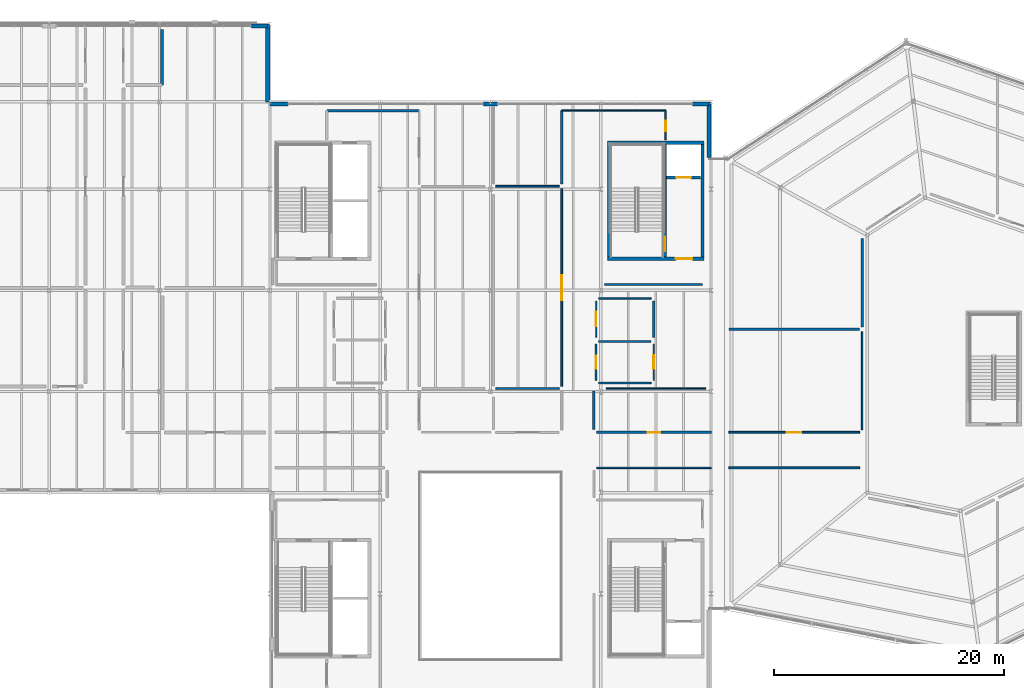
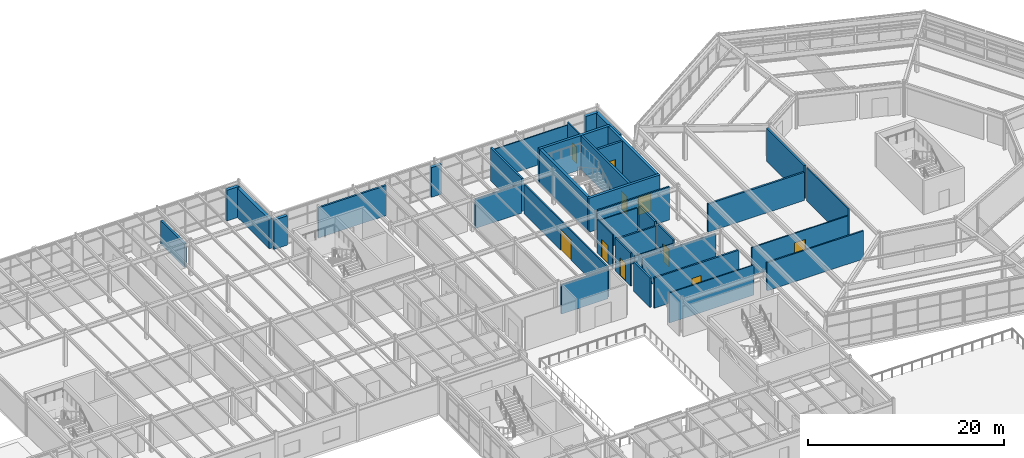
# One storey, part 55 of 69: 37 walls, 10 doors, 10 openings.
"""IFC4 building model written with IfcOpenShell, lengths in metres."""

from ifc_helpers import new_model, si_unit, direction, frame, frame_2d, origin, place, context, subcontext, project, spatial, rectangle, extrude, material, layer, layer_set, type_object, element, fill, save


model = new_model("IFC4")

# Units and contexts
model_context = context("Model", 3, precision=1e-05, world=origin(), true_north=direction((0.0, 1.0)))
body_context = subcontext(model_context, "Body", "Model", "MODEL_VIEW")
ifc_project = project(units=[si_unit("LENGTHUNIT", "METRE"), si_unit("AREAUNIT", "SQUARE_METRE"), si_unit("VOLUMEUNIT", "CUBIC_METRE"), si_unit("PLANEANGLEUNIT", "RADIAN"), si_unit("MASSUNIT", "GRAM", prefix="KILO")], contexts=[model_context])

# Site, building, storey
site_placement = place(None, origin())
site = spatial("IfcSite", under=ifc_project, at=site_placement, CompositionType="ELEMENT")
building_placement = place(site_placement, origin())
building = spatial("IfcBuilding", under=site, at=building_placement, Name="Sarnbrook Museum", CompositionType="ELEMENT")
storey_placement = place(building_placement, frame((0.0, 0.0, 14.60009765625)))
storey = spatial("IfcBuildingStorey", under=building, at=storey_placement, Name="L03", CompositionType="ELEMENT", Elevation=14.60009765625)

# Wall, opening, door
ifc_material_1 = material(Name="Concrete N50 (AS 3600, f'c = 50 MPa)", Category="concrete")
ifc_layer_1 = layer(ifc_material_1, 0.300048828125)
ifc_layer_set_1 = layer_set([ifc_layer_1], Name="Concrete N50 (AS 3600, f'c = 50 MPa)")
wall_type_1 = type_object("IfcWallType", Name="CoreWall_CWRC", PredefinedType="SHEAR", material=ifc_layer_set_1)
wall_1_placement = place(storey_placement, frame((110.199951171875, 94.75, 0.0), z_axis=(0.0, 0.0, 1.0), x_axis=(1.0, 0.0, 0.0)))
wall_1 = element("IfcWall", 1, at=wall_1_placement, inside=storey, type_object=wall_type_1, Name="Core C2 Shear Wall S L03", PredefinedType="SHEAR", context=body_context, shape_type="SweptSolid", body=[
    extrude(rectangle(XDim=8.400146484375, YDim=0.300048828125, at=frame_2d((4.2001953125, 0.0))), origin(), (0.0, 0.0, 1.0), 4.244873046875),
])
opening_1_placement = place(wall_1_placement, frame((5.925048828125, 0.0, 0.0)))
opening_1 = element("IfcOpeningElement", 2, at=opening_1_placement, cuts=wall_1, Name="Opening D-LOB-C2-L03", PredefinedType="OPENING", context=body_context, shape_type="SweptSolid", body=[
    extrude(rectangle(XDim=1.449951171875, YDim=2.25, at=frame_2d((0.72509765625, 1.125))), frame((0.0, 0.16015625, 0.0), z_axis=(0.0, -1.0, 0.0), x_axis=(1.0, 0.0, 0.0)), (0.0, 0.0, 1.0), 0.320068359375),
])
ifc_material_2 = material(Name="Tasmanian Oak Acoustic Timber", Category="wood")
door_type_1 = type_object("IfcDoorType", Name="FireDoor_FD120W", OperationType="NOTDEFINED", PredefinedType="DOOR", material=ifc_material_2)
door_1_placement = place(opening_1_placement, origin())
door_1 = element("IfcDoor", 3, at=door_1_placement, inside=storey, type_object=door_type_1, Name="Core C2 Fire Lobby Entry Door L03", OperationType="SINGLE_SWING_LEFT", OverallHeight=2.25, OverallWidth=1.449951171875, PredefinedType="DOOR", context=body_context, shape_type="SweptSolid", body=[
    extrude(rectangle(XDim=1.449951171875, YDim=2.25, at=frame_2d((0.72509765625, 1.125))), frame((0.0, 0.02490234375, 0.0), z_axis=(0.0, -1.0, 0.0), x_axis=(1.0, 0.0, 0.0)), (0.0, 0.0, 1.0), 0.050048828125),
])
fill(opening_1, door_1)

# Walls
wall_2_placement = place(storey_placement, frame((118.60009765625, 104.85009765625, 0.0), z_axis=(0.0, 0.0, 1.0), x_axis=(-1.0, 0.0, 0.0)))
element("IfcWall", 4, at=wall_2_placement, inside=storey, type_object=wall_type_1, Name="Core C2 Shear Wall N L03", PredefinedType="SHEAR", context=body_context, shape_type="SweptSolid", body=[
    extrude(rectangle(XDim=8.400146484375, YDim=0.300048828125, at=frame_2d((4.2001953125, 0.0))), origin(), (0.0, 0.0, 1.0), 4.244873046875),
])
for number, where, z_axis, x_axis, name in (
    (5, (118.449951171875, 94.909912109375, 0.0), (0.0, 0.0, 1.0), (0.0, 1.0, 0.0), "Core C2 Shear Wall E L03"),
    (6, (110.35009765625, 104.68994140625, 0.0), (0.0, 0.0, 1.0), (0.0, -1.0, 0.0), "Core C2 Shear Wall W L03"),
):
    element("IfcWall", number, at=place(storey_placement, frame(where, z_axis=z_axis, x_axis=x_axis)), inside=storey, type_object=wall_type_1, Name=name, PredefinedType="SHEAR", context=body_context, shape_type="SweptSolid", body=[
        extrude(rectangle(XDim=9.780029296875, YDim=0.300048828125, at=frame_2d((4.89013671875, 0.0))), origin(), (0.0, 0.0, 1.0), 4.244873046875),
    ])
ifc_material_3 = material(Name="Concrete N40 (AS 3600, f'c = 40 MPa)", Category="concrete")
ifc_layer_2 = layer(ifc_material_3, 0.260009765625)
ifc_layer_set_2 = layer_set([ifc_layer_2], Name="Concrete N40 (AS 3600, f'c = 40 MPa)")
wall_type_2 = type_object("IfcWallType", Name="FireWall_FW240", PredefinedType="SOLIDWALL", material=ifc_layer_set_2)
wall_3_placement = place(storey_placement, frame((71.419921875, 109.8701171875, 0.0), z_axis=(0.0, 0.0, 1.0), x_axis=(0.0, 1.0, 0.0)))
element("IfcWall", 7, at=wall_3_placement, inside=storey, type_object=wall_type_2, Name="Interior Partition Wall L03-0729", PredefinedType="SOLIDWALL", context=body_context, shape_type="SweptSolid", body=[
    extrude(rectangle(XDim=4.849853515625, YDim=0.260009765625, at=frame_2d((2.4248046875, 0.0))), origin(), (0.0, 0.0, 1.0), 2.89990234375),
])
ifc_material_4 = material(Name="Fire-Rated Acoustic Gypsum Plasterboard")
ifc_layer_3 = layer(ifc_material_4, 0.1201171875)
ifc_layer_set_3 = layer_set([ifc_layer_3], Name="Fire-Rated Acoustic Gypsum Plasterboard")
wall_type_3 = type_object("IfcWallType", Name="PartWall_P120", PredefinedType="PARTITIONING", material=ifc_layer_set_3)
wall_4_placement = place(storey_placement, frame((109.419921875, 91.31005859375, 0.0), z_axis=(0.0, 0.0, 1.0), x_axis=(1.0, 0.0, 0.0)))
element("IfcWall", 8, at=wall_4_placement, inside=storey, type_object=wall_type_3, Name="Interior Partition Wall L03-0594", PredefinedType="PARTITIONING", context=body_context, shape_type="SweptSolid", body=[
    extrude(rectangle(XDim=4.56005859375, YDim=0.1201171875, at=frame_2d((2.280029296875, 0.0))), origin(), (0.0, 0.0, 1.0), 3.762939453125),
])
wall_5_placement = place(storey_placement, frame((115.239990234375, 107.64990234375, 0.0), z_axis=(0.0, 0.0, 1.0), x_axis=(-1.0, 0.0, 0.0)))
element("IfcWall", 9, at=wall_5_placement, inside=storey, type_object=wall_type_3, Name="Interior Partition Wall L03-0657", PredefinedType="PARTITIONING", context=body_context, shape_type="SweptSolid", body=[
    extrude(rectangle(XDim=9.030029296875, YDim=0.1201171875, at=frame_2d((4.51513671875, 0.0))), origin(), (0.0, 0.0, 1.0), 3.762939453125),
])
wall_6_placement = place(storey_placement, frame((109.22998046875, 76.550048828125, 0.0), z_axis=(0.0, 0.0, 1.0), x_axis=(1.0, 0.0, 0.0)))
element("IfcWall", 10, at=wall_6_placement, inside=storey, type_object=wall_type_3, Name="Interior Partition Wall L03-0664", PredefinedType="PARTITIONING", context=body_context, shape_type="SweptSolid", body=[
    extrude(rectangle(XDim=10.0, YDim=0.1201171875, at=frame_2d((5.0, 0.0))), origin(), (0.0, 0.0, 1.0), 3.762939453125),
])
wall_7_placement = place(storey_placement, frame((110.080078125, 83.4599609375, 0.0), z_axis=(0.0, 0.0, 1.0), x_axis=(1.0, 0.0, 0.0)))
element("IfcWall", 11, at=wall_7_placement, inside=storey, type_object=wall_type_3, Name="Interior Partition Wall L03-0720", PredefinedType="PARTITIONING", context=body_context, shape_type="SweptSolid", body=[
    extrude(rectangle(XDim=8.639892578125, YDim=0.1201171875, at=frame_2d((4.31982421875, 0.0))), origin(), (0.0, 0.0, 1.0), 3.68701171875),
])

# Wall, opening, door
ifc_layer_4 = layer(ifc_material_4, 0.135009765625)
ifc_layer_set_4 = layer_set([ifc_layer_4], Name="Fire-Rated Acoustic Gypsum Plasterboard")
wall_type_4 = type_object("IfcWallType", Name="PartWall_P135", PredefinedType="PARTITIONING", material=ifc_layer_set_4)
wall_8_placement = place(storey_placement, frame((109.18994140625, 87.919921875, 0.0), z_axis=(0.0, 0.0, 1.0), x_axis=(0.0, 1.0, 0.0)))
wall_8 = element("IfcWall", 12, at=wall_8_placement, inside=storey, type_object=wall_type_4, Name="Interior Partition Wall L03-0593", PredefinedType="PARTITIONING", context=body_context, shape_type="SweptSolid", body=[
    extrude(rectangle(XDim=3.16015625, YDim=0.135009765625, at=frame_2d((1.580078125, 0.0))), origin(), (0.0, 0.0, 1.0), 4.1298828125),
])
opening_2_placement = place(wall_8_placement, frame((0.93994140625, 0.0, 0.0)))
opening_2 = element("IfcOpeningElement", 13, at=opening_2_placement, cuts=wall_8, Name="Opening D-L03-170", PredefinedType="OPENING", context=body_context, shape_type="SweptSolid", body=[
    extrude(rectangle(XDim=1.280029296875, YDim=2.239990234375, at=frame_2d((0.64013671875, 1.1201171875))), frame((0.0, 0.07763671875, 0.0), z_axis=(0.0, -1.0, 0.0), x_axis=(1.0, 0.0, 0.0)), (0.0, 0.0, 1.0), 0.155029296875),
])
door_type_2 = type_object("IfcDoorType", Name="IntDoor_DT18", OperationType="NOTDEFINED", PredefinedType="DOOR", material=ifc_material_2)
door_2_placement = place(opening_2_placement, origin())
door_2 = element("IfcDoor", 14, at=door_2_placement, inside=storey, type_object=door_type_2, Name="Public Female Toilets L03 Door D-L03-170", OperationType="SINGLE_SWING_RIGHT", OverallHeight=2.239990234375, OverallWidth=1.280029296875, PredefinedType="DOOR", context=body_context, shape_type="SweptSolid", body=[
    extrude(rectangle(XDim=1.280029296875, YDim=2.239990234375, at=frame_2d((0.64013671875, 1.1201171875))), frame((0.0, 0.02490234375, 0.0), z_axis=(0.0, -1.0, 0.0), x_axis=(1.0, 0.0, 0.0)), (0.0, 0.0, 1.0), 0.050048828125),
])
fill(opening_2, door_2)

# Wall
wall_9_placement = place(storey_placement, frame((132.35009765625, 88.398193359375, 0.0), z_axis=(0.0, 0.0, 1.0), x_axis=(0.0, -1.0, 0.0)))
element("IfcWall", 15, at=wall_9_placement, inside=storey, type_object=wall_type_4, Name="Interior Partition Wall L03-0607", PredefinedType="PARTITIONING", context=body_context, shape_type="SweptSolid", body=[
    extrude(rectangle(XDim=8.518310546875, YDim=0.135009765625, at=frame_2d((4.25927734375, 0.0))), origin(), (0.0, 0.0, 1.0), 4.1298828125),
])

# Wall, opening, door
wall_10_placement = place(storey_placement, frame((115.25, 105.1201171875, 0.0), z_axis=(0.0, 0.0, 1.0), x_axis=(0.0, 1.0, 0.0)))
wall_10 = element("IfcWall", 16, at=wall_10_placement, inside=storey, type_object=wall_type_4, Name="Interior Partition Wall L03-0656", PredefinedType="PARTITIONING", context=body_context, shape_type="SweptSolid", body=[
    extrude(rectangle(XDim=2.519775390625, YDim=0.135009765625, at=frame_2d((1.259765625, 0.0))), origin(), (0.0, 0.0, 1.0), 4.1298828125),
])
opening_3_placement = place(wall_10_placement, frame((0.735107421875, 0.0, 0.0)))
opening_3 = element("IfcOpeningElement", 17, at=opening_3_placement, cuts=wall_10, Name="Opening D-L03-190", PredefinedType="OPENING", context=body_context, shape_type="SweptSolid", body=[
    extrude(rectangle(XDim=0.89990234375, YDim=2.080078125, at=frame_2d((0.449951171875, 1.0400390625))), frame((0.0, 0.07763671875, 0.0), z_axis=(0.0, -1.0, 0.0), x_axis=(1.0, 0.0, 0.0)), (0.0, 0.0, 1.0), 0.155029296875),
])
door_type_3 = type_object("IfcDoorType", Name="IntDoor_DT01", OperationType="NOTDEFINED", PredefinedType="DOOR", material=ifc_material_2)
door_3_placement = place(opening_3_placement, origin())
door_3 = element("IfcDoor", 18, at=door_3_placement, inside=storey, type_object=door_type_3, Name="Collection Digitisation Studio L03-18 Door D-L03-190", OperationType="SINGLE_SWING_LEFT", OverallHeight=2.080078125, OverallWidth=0.89990234375, PredefinedType="DOOR", context=body_context, shape_type="SweptSolid", body=[
    extrude(rectangle(XDim=0.89990234375, YDim=2.080078125, at=frame_2d((0.449951171875, 1.0400390625))), frame((0.0, 0.02490234375, 0.0), z_axis=(0.0, -1.0, 0.0), x_axis=(1.0, 0.0, 0.0)), (0.0, 0.0, 1.0), 0.050048828125),
])
fill(opening_3, door_3)

# Walls
wall_11_placement = place(storey_placement, frame((100.47998046875, 101.06005859375, 0.0), z_axis=(0.0, 0.0, 1.0), x_axis=(1.0, 0.0, 0.0)))
element("IfcWall", 19, at=wall_11_placement, inside=storey, type_object=wall_type_4, Name="Interior Partition Wall L03-0719", PredefinedType="PARTITIONING", context=body_context, shape_type="SweptSolid", body=[
    extrude(rectangle(XDim=5.489990234375, YDim=0.135009765625, at=frame_2d((2.7451171875, 0.0))), origin(), (0.0, 0.0, 1.0), 3.68701171875),
])
ifc_layer_5 = layer(ifc_material_4, 0.14990234375)
ifc_layer_set_5 = layer_set([ifc_layer_5], Name="Fire-Rated Acoustic Gypsum Plasterboard")
wall_type_5 = type_object("IfcWallType", Name="PartWall_P150", PredefinedType="PARTITIONING", material=ifc_layer_set_5)
wall_12_placement = place(storey_placement, frame((113.97998046875, 83.93994140625, 0.0), z_axis=(0.0, 0.0, 1.0), x_axis=(-1.0, 0.0, 0.0)))
element("IfcWall", 20, at=wall_12_placement, inside=storey, type_object=wall_type_5, Name="Interior Partition Wall L03-0592", PredefinedType="PARTITIONING", context=body_context, shape_type="SweptSolid", body=[
    extrude(rectangle(XDim=4.56005859375, YDim=0.14990234375, at=frame_2d((2.280029296875, 0.0))), origin(), (0.0, 0.0, 1.0), 3.762939453125),
])

# Wall, opening, door
wall_13_placement = place(storey_placement, frame((132.1201171875, 79.64990234375, 0.0), z_axis=(0.0, 0.0, 1.0), x_axis=(-1.0, 0.0, 0.0)))
wall_13 = element("IfcWall", 21, at=wall_13_placement, inside=storey, type_object=wall_type_5, Name="Interior Partition Wall L03-0606", PredefinedType="PARTITIONING", context=body_context, shape_type="SweptSolid", body=[
    extrude(rectangle(XDim=11.375244140625, YDim=0.14990234375, at=frame_2d((5.6875, 0.0))), origin(), (0.0, 0.0, 1.0), 3.510009765625),
])
opening_4_placement = place(wall_13_placement, frame((5.0576171875, 0.0, 0.0)))
opening_4 = element("IfcOpeningElement", 22, at=opening_4_placement, cuts=wall_13, Name="Opening D-L03-175", PredefinedType="OPENING", context=body_context, shape_type="SweptSolid", body=[
    extrude(rectangle(XDim=1.260009765625, YDim=2.340087890625, at=frame_2d((0.6298828125, 1.169921875))), frame((0.0, 0.0849609375, 0.0), z_axis=(0.0, -1.0, 0.0), x_axis=(1.0, 0.0, 0.0)), (0.0, 0.0, 1.0), 0.169921875),
])
door_type_4 = type_object("IfcDoorType", Name="IntDoor_DT23", OperationType="NOTDEFINED", PredefinedType="DOOR", material=ifc_material_2)
door_4_placement = place(opening_4_placement, origin())
door_4 = element("IfcDoor", 23, at=door_4_placement, inside=storey, type_object=door_type_4, Name="Meteorites & Planetary Science Hall L03-2 Door D-L03-175", OperationType="SINGLE_SWING_LEFT", OverallHeight=2.340087890625, OverallWidth=1.260009765625, PredefinedType="DOOR", context=body_context, shape_type="SweptSolid", body=[
    extrude(rectangle(XDim=1.260009765625, YDim=2.340087890625, at=frame_2d((0.6298828125, 1.169921875))), frame((0.0, 0.02490234375, 0.0), z_axis=(0.0, -1.0, 0.0), x_axis=(1.0, 0.0, 0.0)), (0.0, 0.0, 1.0), 0.050048828125),
])
fill(opening_4, door_4)

wall_14_placement = place(storey_placement, frame((106.199951171875, 100.830078125, 0.0), z_axis=(0.0, 0.0, 1.0), x_axis=(0.0, -1.0, 0.0)))
wall_14 = element("IfcWall", 24, at=wall_14_placement, inside=storey, type_object=wall_type_5, Name="Interior Partition Wall L03-0655", PredefinedType="PARTITIONING", context=body_context, shape_type="SweptSolid", body=[
    extrude(rectangle(XDim=17.18017578125, YDim=0.14990234375, at=frame_2d((8.590087890625, 0.0))), origin(), (0.0, 0.0, 1.0), 3.68701171875),
])
opening_5_placement = place(wall_14_placement, frame((7.5, 0.0, 0.0)))
opening_5 = element("IfcOpeningElement", 25, at=opening_5_placement, cuts=wall_14, Name="Opening D-L03-189", PredefinedType="OPENING", context=body_context, shape_type="SweptSolid", body=[
    extrude(rectangle(XDim=2.179931640625, YDim=2.580078125, at=frame_2d((1.08984375, 1.2900390625))), frame((0.0, 0.0849609375, 0.0), z_axis=(0.0, -1.0, 0.0), x_axis=(1.0, 0.0, 0.0)), (0.0, 0.0, 1.0), 0.169921875),
])
door_type_5 = type_object("IfcDoorType", Name="IntDoor_DT37", OperationType="NOTDEFINED", PredefinedType="DOOR", material=ifc_material_2)
door_5_placement = place(opening_5_placement, frame((2.179931640625, 0.0, 0.0), z_axis=(0.0, 0.0, 1.0), x_axis=(-1.0, 0.0, 0.0)))
door_5 = element("IfcDoor", 26, at=door_5_placement, inside=storey, type_object=door_type_5, Name="Natural History Library & Reading Room L03-17 Door D-L03-189", OperationType="DOUBLE_DOOR_SINGLE_SWING", OverallHeight=2.580078125, OverallWidth=2.179931640625, PredefinedType="DOOR", context=body_context, shape_type="SweptSolid", body=[
    extrude(rectangle(XDim=2.179931640625, YDim=2.580078125, at=frame_2d((1.08984375, 1.2900390625))), frame((0.0, 0.02490234375, 0.0), z_axis=(0.0, -1.0, 0.0), x_axis=(1.0, 0.0, 0.0)), (0.0, 0.0, 1.0), 0.050048828125),
])
fill(opening_5, door_5)

# Wall
wall_15_placement = place(storey_placement, frame((100.47998046875, 83.4599609375, 0.0), z_axis=(0.0, 0.0, 1.0), x_axis=(1.0, 0.0, 0.0)))
element("IfcWall", 27, at=wall_15_placement, inside=storey, type_object=wall_type_5, Name="Interior Partition Wall L03-0718", PredefinedType="PARTITIONING", context=body_context, shape_type="SweptSolid", body=[
    extrude(rectangle(XDim=5.489990234375, YDim=0.14990234375, at=frame_2d((2.7451171875, 0.0))), origin(), (0.0, 0.0, 1.0), 3.68701171875),
])

# Wall, opening, door
ifc_layer_6 = layer(ifc_material_4, 0.1650390625)
ifc_layer_set_6 = layer_set([ifc_layer_6], Name="Fire-Rated Acoustic Gypsum Plasterboard")
wall_type_6 = type_object("IfcWallType", Name="PartWall_P165", PredefinedType="PARTITIONING", material=ifc_layer_set_6)
wall_16_placement = place(storey_placement, frame((114.2099609375, 87.330078125, 0.0), z_axis=(0.0, 0.0, 1.0), x_axis=(0.0, -1.0, 0.0)))
wall_16 = element("IfcWall", 28, at=wall_16_placement, inside=storey, type_object=wall_type_6, Name="Interior Partition Wall L03-0591", PredefinedType="PARTITIONING", context=body_context, shape_type="SweptSolid", body=[
    extrude(rectangle(XDim=3.16015625, YDim=0.1650390625, at=frame_2d((1.580078125, 0.0))), origin(), (0.0, 0.0, 1.0), 4.012939453125),
])
opening_6_placement = place(wall_16_placement, frame((0.989990234375, 0.0, 0.0)))
opening_6 = element("IfcOpeningElement", 29, at=opening_6_placement, cuts=wall_16, Name="Opening D-L03-169", PredefinedType="OPENING", context=body_context, shape_type="SweptSolid", body=[
    extrude(rectangle(XDim=1.179931640625, YDim=2.239990234375, at=frame_2d((0.58984375, 1.1201171875))), frame((0.0, 0.092529296875, 0.0), z_axis=(0.0, -1.0, 0.0), x_axis=(1.0, 0.0, 0.0)), (0.0, 0.0, 1.0), 0.18505859375),
])
door_type_6 = type_object("IfcDoorType", Name="IntDoor_DT17", OperationType="NOTDEFINED", PredefinedType="DOOR", material=ifc_material_2)
door_6_placement = place(opening_6_placement, frame((1.179931640625, 0.0, 0.0), z_axis=(0.0, 0.0, 1.0), x_axis=(-1.0, 0.0, 0.0)))
door_6 = element("IfcDoor", 30, at=door_6_placement, inside=storey, type_object=door_type_6, Name="Molecular DNA Conservation Lab L03-22 Door D-L03-169", OperationType="SINGLE_SWING_LEFT", OverallHeight=2.239990234375, OverallWidth=1.179931640625, PredefinedType="DOOR", context=body_context, shape_type="SweptSolid", body=[
    extrude(rectangle(XDim=1.179931640625, YDim=2.239990234375, at=frame_2d((0.58984375, 1.1201171875))), frame((0.0, 0.02490234375, 0.0), z_axis=(0.0, -1.0, 0.0), x_axis=(1.0, 0.0, 0.0)), (0.0, 0.0, 1.0), 0.050048828125),
])
fill(opening_6, door_6)

# Wall
wall_17_placement = place(storey_placement, frame((120.744873046875, 76.550048828125, 0.0), z_axis=(0.0, 0.0, 1.0), x_axis=(1.0, 0.0, 0.0)))
element("IfcWall", 31, at=wall_17_placement, inside=storey, type_object=wall_type_6, Name="Interior Partition Wall L03-0605", PredefinedType="PARTITIONING", context=body_context, shape_type="SweptSolid", body=[
    extrude(rectangle(XDim=11.375244140625, YDim=0.1650390625, at=frame_2d((5.6875, 0.0))), origin(), (0.0, 0.0, 1.0), 3.510009765625),
])

# Wall, opening, door
ifc_layer_7 = layer(ifc_material_4, 0.179931640625)
ifc_layer_set_7 = layer_set([ifc_layer_7], Name="Fire-Rated Acoustic Gypsum Plasterboard")
wall_type_7 = type_object("IfcWallType", Name="PartWall_P180", PredefinedType="PARTITIONING", material=ifc_layer_set_7)
wall_18_placement = place(storey_placement, frame((109.18994140625, 84.169921875, 0.0), z_axis=(0.0, 0.0, 1.0), x_axis=(0.0, 1.0, 0.0)))
wall_18 = element("IfcWall", 32, at=wall_18_placement, inside=storey, type_object=wall_type_7, Name="Interior Partition Wall L03-0590", PredefinedType="PARTITIONING", context=body_context, shape_type="SweptSolid", body=[
    extrude(rectangle(XDim=3.16015625, YDim=0.179931640625, at=frame_2d((1.580078125, 0.0))), origin(), (0.0, 0.0, 1.0), 4.1298828125),
])
opening_7_placement = place(wall_18_placement, frame((1.030029296875, 0.0, 0.0)))
opening_7 = element("IfcOpeningElement", 33, at=opening_7_placement, cuts=wall_18, Name="Opening D-L03-168", PredefinedType="OPENING", context=body_context, shape_type="SweptSolid", body=[
    extrude(rectangle(XDim=1.10009765625, YDim=2.239990234375, at=frame_2d((0.550048828125, 1.1201171875))), frame((0.0, 0.10009765625, 0.0), z_axis=(0.0, -1.0, 0.0), x_axis=(1.0, 0.0, 0.0)), (0.0, 0.0, 1.0), 0.199951171875),
])
door_type_7 = type_object("IfcDoorType", Name="IntDoor_DT16", OperationType="NOTDEFINED", PredefinedType="DOOR", material=ifc_material_2)
door_7_placement = place(opening_7_placement, origin())
door_7 = element("IfcDoor", 34, at=door_7_placement, inside=storey, type_object=door_type_7, Name="Public Male Toilets L03 Door D-L03-168", OperationType="SINGLE_SWING_RIGHT", OverallHeight=2.239990234375, OverallWidth=1.10009765625, PredefinedType="DOOR", context=body_context, shape_type="SweptSolid", body=[
    extrude(rectangle(XDim=1.10009765625, YDim=2.239990234375, at=frame_2d((0.550048828125, 1.1201171875))), frame((0.0, 0.02490234375, 0.0), z_axis=(0.0, -1.0, 0.0), x_axis=(1.0, 0.0, 0.0)), (0.0, 0.0, 1.0), 0.050048828125),
])
fill(opening_7, door_7)

# Walls
wall_19_placement = place(storey_placement, frame((109.94287109375, 92.5, 0.0), z_axis=(0.0, 0.0, 1.0), x_axis=(1.0, 0.0, 0.0)))
element("IfcWall", 35, at=wall_19_placement, inside=storey, type_object=wall_type_7, Name="Interior Partition Wall L03-0667", PredefinedType="PARTITIONING", context=body_context, shape_type="SweptSolid", body=[
    extrude(rectangle(XDim=8.4970703125, YDim=0.179931640625, at=frame_2d((4.24853515625, 0.0))), origin(), (0.0, 0.0, 1.0), 4.1298828125),
])
ifc_layer_8 = layer(ifc_material_4, 0.195068359375)
ifc_layer_set_8 = layer_set([ifc_layer_8], Name="Fire-Rated Acoustic Gypsum Plasterboard")
wall_type_8 = type_object("IfcWallType", Name="PartWall_P195", PredefinedType="PARTITIONING", material=ifc_layer_set_8)
wall_20_placement = place(storey_placement, frame((109.419921875, 87.56005859375, 0.0), z_axis=(0.0, 0.0, 1.0), x_axis=(1.0, 0.0, 0.0)))
element("IfcWall", 36, at=wall_20_placement, inside=storey, type_object=wall_type_8, Name="Interior Partition Wall L03-0589", PredefinedType="PARTITIONING", context=body_context, shape_type="SweptSolid", body=[
    extrude(rectangle(XDim=4.56005859375, YDim=0.195068359375, at=frame_2d((2.280029296875, 0.0))), origin(), (0.0, 0.0, 1.0), 3.762939453125),
])

# Wall, opening, door
wall_21_placement = place(storey_placement, frame((119.22998046875, 79.64990234375, 0.0), z_axis=(0.0, 0.0, 1.0), x_axis=(-1.0, 0.0, 0.0)))
wall_21 = element("IfcWall", 37, at=wall_21_placement, inside=storey, type_object=wall_type_8, Name="Interior Partition Wall L03-0666", PredefinedType="PARTITIONING", context=body_context, shape_type="SweptSolid", body=[
    extrude(rectangle(XDim=10.0, YDim=0.195068359375, at=frame_2d((5.0, 0.0))), origin(), (0.0, 0.0, 1.0), 3.762939453125),
])
opening_8_placement = place(wall_21_placement, frame((4.47509765625, 0.0, 0.0)))
opening_8 = element("IfcOpeningElement", 38, at=opening_8_placement, cuts=wall_21, Name="Opening D-L03-193", PredefinedType="OPENING", context=body_context, shape_type="SweptSolid", body=[
    extrude(rectangle(XDim=1.050048828125, YDim=2.14990234375, at=frame_2d((0.52490234375, 1.074951171875))), frame((0.0, 0.107421875, 0.0), z_axis=(0.0, -1.0, 0.0), x_axis=(1.0, 0.0, 0.0)), (0.0, 0.0, 1.0), 0.215087890625),
])
door_type_8 = type_object("IfcDoorType", Name="FireDoor_FD60", OperationType="NOTDEFINED", PredefinedType="DOOR", material=ifc_material_2)
door_8_placement = place(opening_8_placement, origin())
door_8 = element("IfcDoor", 39, at=door_8_placement, inside=storey, type_object=door_type_8, Name="First Peoples Cultural Heritage Gallery L03-21 Door D-L03-193", OperationType="SINGLE_SWING_RIGHT", OverallHeight=2.14990234375, OverallWidth=1.050048828125, PredefinedType="DOOR", context=body_context, shape_type="SweptSolid", body=[
    extrude(rectangle(XDim=1.050048828125, YDim=2.14990234375, at=frame_2d((0.52490234375, 1.074951171875))), frame((0.0, 0.02490234375, 0.0), z_axis=(0.0, -1.0, 0.0), x_axis=(1.0, 0.0, 0.0)), (0.0, 0.0, 1.0), 0.050048828125),
])
fill(opening_8, door_8)

# Walls
ifc_layer_9 = layer(ifc_material_4, 0.2099609375)
ifc_layer_set_9 = layer_set([ifc_layer_9], Name="Fire-Rated Acoustic Gypsum Plasterboard")
wall_type_9 = type_object("IfcWallType", Name="PartWall_P210", PredefinedType="PARTITIONING", material=ifc_layer_set_9)
wall_22_placement = place(storey_placement, frame((114.2099609375, 91.080078125, 0.0), z_axis=(0.0, 0.0, 1.0), x_axis=(0.0, -1.0, 0.0)))
element("IfcWall", 40, at=wall_22_placement, inside=storey, type_object=wall_type_9, Name="Interior Partition Wall L03-0595", PredefinedType="PARTITIONING", context=body_context, shape_type="SweptSolid", body=[
    extrude(rectangle(XDim=3.16015625, YDim=0.2099609375, at=frame_2d((1.580078125, 0.0))), origin(), (0.0, 0.0, 1.0), 4.012939453125),
])
wall_23_placement = place(storey_placement, frame((132.35009765625, 96.52734375, 0.0), z_axis=(0.0, 0.0, 1.0), x_axis=(0.0, -1.0, 0.0)))
element("IfcWall", 41, at=wall_23_placement, inside=storey, type_object=wall_type_9, Name="Interior Partition Wall L03-0609", PredefinedType="PARTITIONING", context=body_context, shape_type="SweptSolid", body=[
    extrude(rectangle(XDim=7.709228515625, YDim=0.2099609375, at=frame_2d((3.8544921875, 0.0))), origin(), (0.0, 0.0, 1.0), 4.1298828125),
])
wall_24_placement = place(storey_placement, frame((93.7900390625, 107.64990234375, 0.0), z_axis=(0.0, 0.0, 1.0), x_axis=(-1.0, 0.0, 0.0)))
element("IfcWall", 42, at=wall_24_placement, inside=storey, type_object=wall_type_9, Name="Interior Partition Wall L03-0637", PredefinedType="PARTITIONING", context=body_context, shape_type="SweptSolid", body=[
    extrude(rectangle(XDim=8.030029296875, YDim=0.2099609375, at=frame_2d((4.01513671875, 0.0))), origin(), (0.0, 0.0, 1.0), 3.762939453125),
])
wall_25_placement = place(storey_placement, frame((106.199951171875, 107.639892578125, 0.0), z_axis=(0.0, 0.0, 1.0), x_axis=(0.0, -1.0, 0.0)))
element("IfcWall", 43, at=wall_25_placement, inside=storey, type_object=wall_type_9, Name="Interior Partition Wall L03-0658", PredefinedType="PARTITIONING", context=body_context, shape_type="SweptSolid", body=[
    extrude(rectangle(XDim=6.389892578125, YDim=0.2099609375, at=frame_2d((3.19482421875, 0.0))), origin(), (0.0, 0.0, 1.0), 4.1298828125),
])
wall_26_placement = place(storey_placement, frame((109.0, 79.8798828125, 0.0), z_axis=(0.0, 0.0, 1.0), x_axis=(0.0, 1.0, 0.0)))
element("IfcWall", 44, at=wall_26_placement, inside=storey, type_object=wall_type_9, Name="Interior Partition Wall L03-0665", PredefinedType="PARTITIONING", context=body_context, shape_type="SweptSolid", body=[
    extrude(rectangle(XDim=3.35009765625, YDim=0.2099609375, at=frame_2d((1.675048828125, 0.0))), origin(), (0.0, 0.0, 1.0), 3.68701171875),
])
wall_27_placement = place(storey_placement, frame((120.744873046875, 88.628173828125, 0.0), z_axis=(0.0, 0.0, 1.0), x_axis=(1.0, 0.0, 0.0)))
element("IfcWall", 45, at=wall_27_placement, inside=storey, type_object=wall_type_9, Name="Interior Partition Wall L03-0707", PredefinedType="PARTITIONING", context=body_context, shape_type="SweptSolid", body=[
    extrude(rectangle(XDim=11.375244140625, YDim=0.2099609375, at=frame_2d((5.6875, 0.0))), origin(), (0.0, 0.0, 1.0), 3.510009765625),
])

# Wall, opening, door
ifc_layer_10 = layer(ifc_material_3, 0.239990234375)
ifc_layer_set_10 = layer_set([ifc_layer_10], Name="Concrete N40 (AS 3600, f'c = 40 MPa)")
wall_type_10 = type_object("IfcWallType", Name="ShaftWall_SWRC", PredefinedType="SOLIDWALL", material=ifc_layer_set_10)
wall_28_placement = place(storey_placement, frame((115.18994140625, 94.909912109375, 0.0), z_axis=(0.0, 0.0, 1.0), x_axis=(0.0, 1.0, 0.0)))
wall_28 = element("IfcWall", 46, at=wall_28_placement, inside=storey, type_object=wall_type_10, Name="Stairwell ST2 Fire Shaft Wall L03", PredefinedType="SOLIDWALL", context=body_context, shape_type="SweptSolid", body=[
    extrude(rectangle(XDim=9.780029296875, YDim=0.239990234375, at=frame_2d((4.89013671875, 0.0))), origin(), (0.0, 0.0, 1.0), 4.244873046875),
])
opening_9_placement = place(wall_28_placement, frame((0.514892578125, 0.0, 0.0)))
opening_9 = element("IfcOpeningElement", 47, at=opening_9_placement, cuts=wall_28, Name="Opening D-ST-ST2-L03", PredefinedType="OPENING", context=body_context, shape_type="SweptSolid", body=[
    extrude(rectangle(XDim=1.25, YDim=2.199951171875, at=frame_2d((0.625, 1.10009765625))), frame((0.0, 0.1298828125, 0.0), z_axis=(0.0, -1.0, 0.0), x_axis=(1.0, 0.0, 0.0)), (0.0, 0.0, 1.0), 0.260009765625),
])
door_type_9 = type_object("IfcDoorType", Name="FireDoor_FD120", OperationType="NOTDEFINED", PredefinedType="DOOR", material=ifc_material_2)
door_9_placement = place(opening_9_placement, origin())
door_9 = element("IfcDoor", 48, at=door_9_placement, inside=storey, type_object=door_type_9, Name="Exit Stair ST2 Fire Door L03", OperationType="SINGLE_SWING_RIGHT", OverallHeight=2.199951171875, OverallWidth=1.25, PredefinedType="DOOR", context=body_context, shape_type="SweptSolid", body=[
    extrude(rectangle(XDim=1.25, YDim=2.199951171875, at=frame_2d((0.625, 1.10009765625))), frame((0.0, 0.02490234375, 0.0), z_axis=(0.0, -1.0, 0.0), x_axis=(1.0, 0.0, 0.0)), (0.0, 0.0, 1.0), 0.050048828125),
])
fill(opening_9, door_9)

wall_29_placement = place(storey_placement, frame((115.320068359375, 101.820068359375, 0.0), z_axis=(0.0, 0.0, 1.0), x_axis=(1.0, 0.0, 0.0)))
wall_29 = element("IfcWall", 49, at=wall_29_placement, inside=storey, type_object=wall_type_10, Name="Lift EL2 Shaft Front Wall L03", PredefinedType="SOLIDWALL", context=body_context, shape_type="SweptSolid", body=[
    extrude(rectangle(XDim=2.969970703125, YDim=0.239990234375, at=frame_2d((1.48486328125, 0.0))), origin(), (0.0, 0.0, 1.0), 4.244873046875),
])
opening_10_placement = place(wall_29_placement, frame((0.8349609375, 0.0, 0.0)))
opening_10 = element("IfcOpeningElement", 50, at=opening_10_placement, cuts=wall_29, Name="Opening LD-EL2-L03", PredefinedType="OPENING", context=body_context, shape_type="SweptSolid", body=[
    extrude(rectangle(XDim=1.300048828125, YDim=2.25, at=frame_2d((0.64990234375, 1.125))), frame((0.0, 0.1298828125, 0.0), z_axis=(0.0, -1.0, 0.0), x_axis=(1.0, 0.0, 0.0)), (0.0, 0.0, 1.0), 0.260009765625),
])
ifc_material_5 = material(Name="Brushed Stainless Steel Grade 316", Category="steel")
door_type_10 = type_object("IfcDoorType", Name="LiftDoor_FF130", OperationType="DOUBLE_DOOR_SLIDING", PredefinedType="DOOR", material=ifc_material_5)
door_10_placement = place(opening_10_placement, origin())
door_10 = element("IfcDoor", 51, at=door_10_placement, inside=storey, type_object=door_type_10, Name="Lift Landing Sliding Door LD-EL2-L03", OperationType="DOUBLE_DOOR_SLIDING", OverallHeight=2.25, OverallWidth=1.300048828125, PredefinedType="DOOR", context=body_context, shape_type="SweptSolid", body=[
    extrude(rectangle(XDim=1.300048828125, YDim=2.25, at=frame_2d((0.64990234375, 1.125))), frame((0.0, 0.02490234375, 0.0), z_axis=(0.0, -1.0, 0.0), x_axis=(1.0, 0.0, 0.0)), (0.0, 0.0, 1.0), 0.050048828125),
])
fill(opening_10, door_10)

# Walls
ifc_material_6 = material(Name="Barrabool Sandstone Ashlar Cladding", Category="masonry")
ifc_layer_11 = layer(ifc_material_6, 0.360107421875)
ifc_layer_set_11 = layer_set([ifc_layer_11], Name="Barrabool Sandstone Ashlar Cladding")
wall_type_11 = type_object("IfcWallType", Name="Wall_SandstoneExt360", PredefinedType="SOLIDWALL", material=ifc_layer_set_11)
wall_30_placement = place(storey_placement, frame((119.02001953125, 103.556396484375, 0.0), z_axis=(0.0, 0.0, 1.0), x_axis=(0.0, 1.0, 0.0)))
element("IfcWall", 52, at=wall_30_placement, inside=storey, type_object=wall_type_11, Name="Classical Sandstone Facade Wall L03-05", PredefinedType="SOLIDWALL", context=body_context, shape_type="SweptSolid", body=[
    extrude(rectangle(XDim=4.843505859375, YDim=0.360107421875, at=frame_2d((2.421875, 0.0))), origin(), (0.0, 0.0, 1.0), 3.701904296875),
])
wall_31_placement = place(storey_placement, frame((119.013916015625, 108.219970703125, 0.0), z_axis=(0.0, 0.0, 1.0), x_axis=(-1.0, 0.0, 0.0)))
element("IfcWall", 53, at=wall_31_placement, inside=storey, type_object=wall_type_11, Name="Classical Sandstone Facade Pier L03-6.1", PredefinedType="SOLIDWALL", context=body_context, shape_type="SweptSolid", body=[
    extrude(rectangle(XDim=1.413818359375, YDim=0.360107421875, at=frame_2d((0.70703125, 0.0))), origin(), (0.0, 0.0, 1.0), 3.701904296875),
])
wall_32_placement = place(storey_placement, frame((100.60009765625, 108.219970703125, 0.0), z_axis=(0.0, 0.0, 1.0), x_axis=(-1.0, 0.0, 0.0)))
element("IfcWall", 54, at=wall_32_placement, inside=storey, type_object=wall_type_11, Name="Classical Sandstone Facade Pier L03-6.2", PredefinedType="SOLIDWALL", context=body_context, shape_type="SweptSolid", body=[
    extrude(rectangle(XDim=1.2001953125, YDim=0.360107421875, at=frame_2d((0.60009765625, 0.0))), origin(), (0.0, 0.0, 1.0), 3.701904296875),
])
wall_33_placement = place(storey_placement, frame((82.39990234375, 108.219970703125, 0.0), z_axis=(0.0, 0.0, 1.0), x_axis=(-1.0, 0.0, 0.0)))
element("IfcWall", 55, at=wall_33_placement, inside=storey, type_object=wall_type_11, Name="Classical Sandstone Facade Pier L03-6.3", PredefinedType="SOLIDWALL", context=body_context, shape_type="SweptSolid", body=[
    extrude(rectangle(XDim=1.599853515625, YDim=0.360107421875, at=frame_2d((0.7998046875, 0.0))), origin(), (0.0, 0.0, 1.0), 3.661865234375),
])
wall_34_placement = place(storey_placement, frame((80.6201171875, 108.39990234375, 0.0), z_axis=(0.0, 0.0, 1.0), x_axis=(0.0, 1.0, 0.0)))
element("IfcWall", 56, at=wall_34_placement, inside=storey, type_object=wall_type_11, Name="Classical Sandstone Facade Wall L03-07", PredefinedType="SOLIDWALL", context=body_context, shape_type="SweptSolid", body=[
    extrude(rectangle(XDim=6.800048828125, YDim=0.360107421875, at=frame_2d((3.39990234375, 0.0))), origin(), (0.0, 0.0, 1.0), 3.661865234375),
])
wall_35_placement = place(storey_placement, frame((80.614013671875, 115.02001953125, 0.0), z_axis=(0.0, 0.0, 1.0), x_axis=(-1.0, 0.0, 0.0)))
element("IfcWall", 57, at=wall_35_placement, inside=storey, type_object=wall_type_11, Name="Classical Sandstone Facade Pier L03-8.1", PredefinedType="SOLIDWALL", context=body_context, shape_type="SweptSolid", body=[
    extrude(rectangle(XDim=1.4140625, YDim=0.360107421875, at=frame_2d((0.70703125, 0.0))), origin(), (0.0, 0.0, 1.0), 3.81787109375),
])

save(model, "model.ifc")
